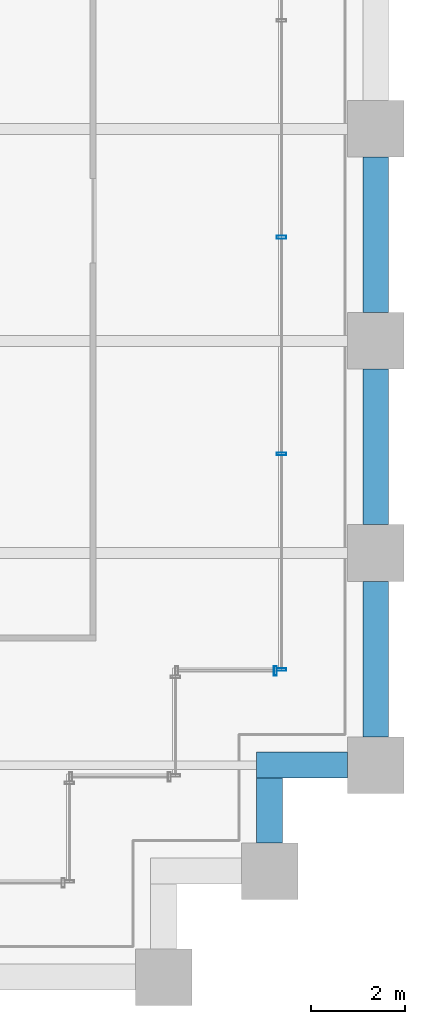
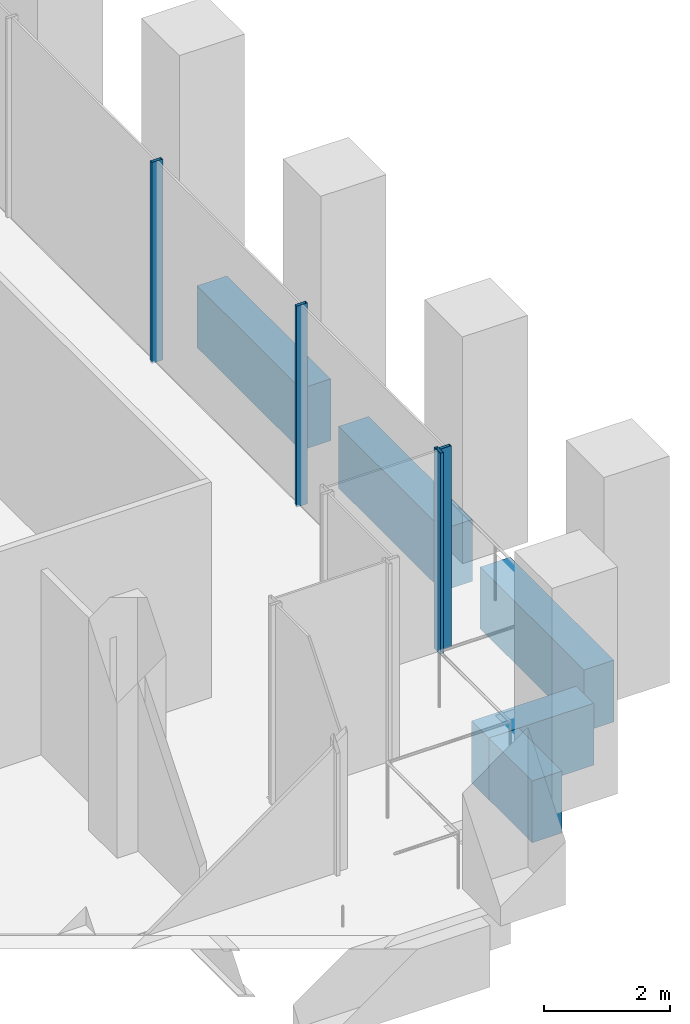
# One storey, part 26 of 36: 5 beams, 4 members, 2 elements without a shape of their own.
"""IFC4 building model written with IfcOpenShell, lengths in metres."""

from ifc_helpers import new_model, si_unit, direction, frame, origin, origin_2d, place, context, subcontext, project, spatial, rectangle, hollow_rectangle, extrude, material, material_profile, profile_set, type_object, element, aggregate, save


model = new_model("IFC4")

# Units and contexts
model_context = context("Model", 3, precision=1e-05, world=origin(), true_north=direction((0.0, 1.0)))
body_context = subcontext(model_context, "Body", "Model", "MODEL_VIEW")
ifc_project = project(units=[si_unit("LENGTHUNIT", "METRE"), si_unit("AREAUNIT", "SQUARE_METRE"), si_unit("VOLUMEUNIT", "CUBIC_METRE"), si_unit("PLANEANGLEUNIT", "RADIAN"), si_unit("MASSUNIT", "GRAM", prefix="KILO")], contexts=[model_context])

# Site, building, storey
site_placement = place(None, origin())
site = spatial("IfcSite", under=ifc_project, at=site_placement, CompositionType="ELEMENT")
building_placement = place(site_placement, origin())
building = spatial("IfcBuilding", under=site, at=building_placement, Name="Altepetl Exchange Towers", CompositionType="ELEMENT")
storey_placement = place(building_placement, frame((0.0, 0.0, 29.800048828125)))
storey = spatial("IfcBuildingStorey", under=building, at=storey_placement, Name="L06", CompositionType="ELEMENT", Elevation=29.800048828125)

# Curtain wall, member
ifc_material_1 = material(Name="Aluminium 6063-T6 glazing", Category="aluminium")
curtain_wall_type = type_object("IfcCurtainWallType", Name="Trading floor glazing system", PredefinedType="NOTDEFINED", material=ifc_material_1)
curtain_wall_1_placement = place(storey_placement, origin())
curtain_wall_1 = element("IfcCurtainWall", 1, at=curtain_wall_1_placement, inside=storey, type_object=curtain_wall_type, Name="CW2 run", PredefinedType="NOTDEFINED")
ifc_material_2 = material(Name="Aluminium 6063-T6", Category="aluminium")
ifc_material_profile_1 = material_profile(ifc_material_2, hollow_rectangle(XDim=0.06005859375, YDim=0.199951171875, WallThickness=0.0029296875, at=origin_2d()), Name="Mullion 60x200 aluminium")
ifc_profile_set_1 = profile_set([ifc_material_profile_1], Name="Aluminium 6063-T6")
member_type = type_object("IfcMemberType", Name="Mullion 60x200 aluminium", PredefinedType="MULLION", material=ifc_profile_set_1)
member_1_placement = place(storey_placement, frame((123.8701171875, 33.5, 0.0)))
member_1 = element("IfcMember", 2, at=member_1_placement, type_object=member_type, Name="MU2 mullion", PredefinedType="MULLION", context=body_context, shape_type="SweptSolid", body=[
    extrude(hollow_rectangle(XDim=0.06005859375, YDim=0.199951171875, WallThickness=0.0029296875, at=origin_2d()), origin(), (0.0, 0.0, 1.0), 3.89990234375),
])
aggregate(curtain_wall_1, [member_1])

# Curtain wall, members
curtain_wall_2_placement = place(storey_placement, origin())
curtain_wall_2 = element("IfcCurtainWall", 3, at=curtain_wall_2_placement, inside=storey, type_object=curtain_wall_type, Name="CW2 run", PredefinedType="NOTDEFINED")
member_2_placement = place(storey_placement, frame((124.0, 33.530029296875, 0.0), z_axis=(0.0, 0.0, 1.0), x_axis=(0.0, 1.0, 0.0)))
member_2 = element("IfcMember", 4, at=member_2_placement, type_object=member_type, Name="MU2 mullion", PredefinedType="MULLION", context=body_context, shape_type="SweptSolid", body=[
    extrude(hollow_rectangle(XDim=0.06005859375, YDim=0.199951171875, WallThickness=0.0029296875, at=origin_2d()), origin(), (0.0, 0.0, 1.0), 3.89990234375),
])
member_3_placement = place(storey_placement, frame((124.0, 38.10009765625, 0.0), z_axis=(0.0, 0.0, 1.0), x_axis=(0.0, 1.0, 0.0)))
member_3 = element("IfcMember", 5, at=member_3_placement, type_object=member_type, Name="MU2 mullion", PredefinedType="MULLION", context=body_context, shape_type="SweptSolid", body=[
    extrude(hollow_rectangle(XDim=0.06005859375, YDim=0.199951171875, WallThickness=0.0029296875, at=origin_2d()), origin(), (0.0, 0.0, 1.0), 3.89990234375),
])
member_4_placement = place(storey_placement, frame((124.0, 42.699951171875, 0.0), z_axis=(0.0, 0.0, 1.0), x_axis=(0.0, 1.0, 0.0)))
member_4 = element("IfcMember", 6, at=member_4_placement, type_object=member_type, Name="MU2 mullion", PredefinedType="MULLION", context=body_context, shape_type="SweptSolid", body=[
    extrude(hollow_rectangle(XDim=0.06005859375, YDim=0.199951171875, WallThickness=0.0029296875, at=origin_2d()), origin(), (0.0, 0.0, 1.0), 3.89990234375),
])
aggregate(curtain_wall_2, [member_2, member_3, member_4])

# Beams
ifc_material_3 = material(Name="Concrete C50/60 precast with cantera blanca facing", Category="concrete")
ifc_material_profile_2 = material_profile(ifc_material_3, rectangle(XDim=0.550048828125, YDim=1.199951171875, at=origin_2d()), Name="550 x 1200")
ifc_profile_set_2 = profile_set([ifc_material_profile_2], Name="Concrete C50/60 precast with cantera blanca facing")
beam_type = type_object("IfcBeamType", Name="Spandrel beam 550x1200 cantera blanca", PredefinedType="SPANDREL", material=ifc_profile_set_2)
beam_1_placement = place(storey_placement, frame((123.75, 29.85009765625, -0.775146484375), z_axis=(0.0, 1.0, 0.0), x_axis=(-1.0, 0.0, 0.0)))
element("IfcBeam", 7, at=beam_1_placement, inside=storey, type_object=beam_type, Name="sp:B:L06:007", PredefinedType="SPANDREL", context=body_context, shape_type="SweptSolid", body=[
    extrude(rectangle(XDim=0.550048828125, YDim=1.199951171875, at=origin_2d()), origin(), (0.0, 0.0, 1.0), 1.375),
])
beam_2_placement = place(storey_placement, frame((123.47509765625, 31.5, -0.775146484375), z_axis=(1.0, 0.0, 0.0), x_axis=(0.0, 1.0, 0.0)))
element("IfcBeam", 8, at=beam_2_placement, inside=storey, type_object=beam_type, Name="sp:B:L06:008", PredefinedType="SPANDREL", context=body_context, shape_type="SweptSolid", body=[
    extrude(rectangle(XDim=0.550048828125, YDim=1.199951171875, at=origin_2d()), origin(), (0.0, 0.0, 1.0), 1.9248046875),
])
for number, where, z_axis, x_axis, name in (
    (9, (126.0, 32.10009765625, -0.775146484375), (0.0, 1.0, 0.0), (-1.0, 0.0, 0.0), "sp:B:L06:009"),
    (10, (126.0, 36.60009765625, -0.775146484375), (0.0, 1.0, 0.0), (-1.0, 0.0, 0.0), "sp:B:L06:010"),
    (11, (126.0, 41.10009765625, -0.775146484375), (0.0, 1.0, 0.0), (-1.0, 0.0, 0.0), "sp:B:L06:011"),
):
    element("IfcBeam", number, at=place(storey_placement, frame(where, z_axis=z_axis, x_axis=x_axis)), inside=storey, type_object=beam_type, Name=name, PredefinedType="SPANDREL", context=body_context, shape_type="SweptSolid", body=[
        extrude(rectangle(XDim=0.550048828125, YDim=1.199951171875, at=origin_2d()), origin(), (0.0, 0.0, 1.0), 3.2998046875),
    ])

save(model, "model.ifc")
